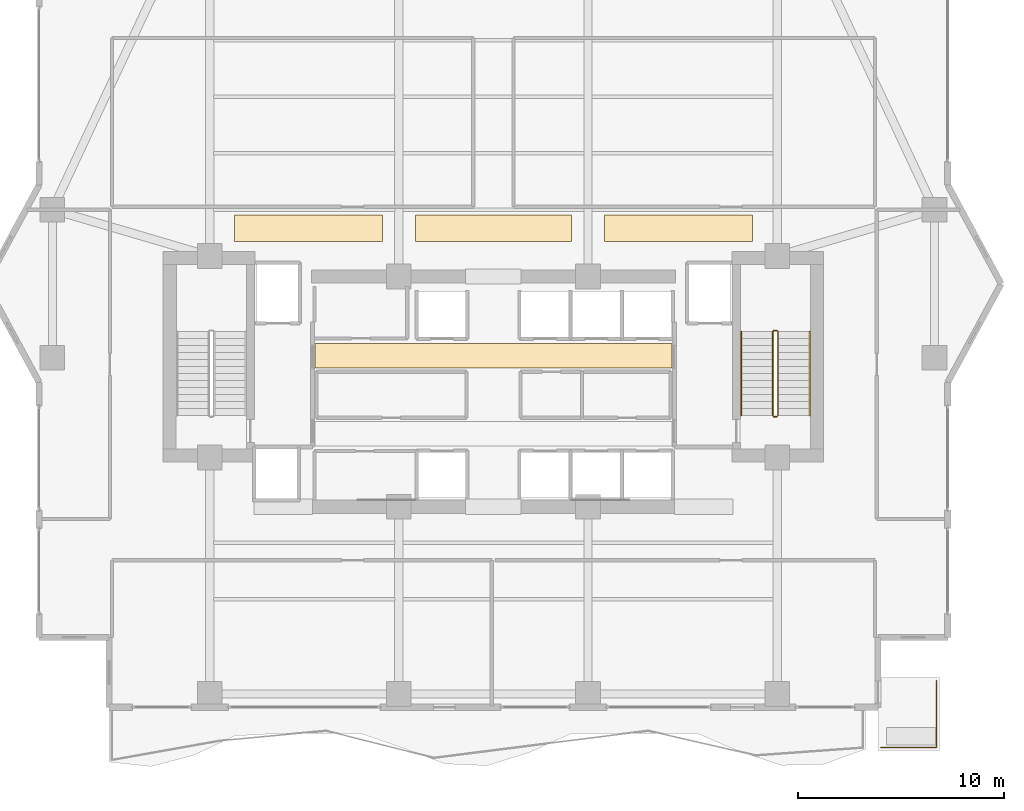
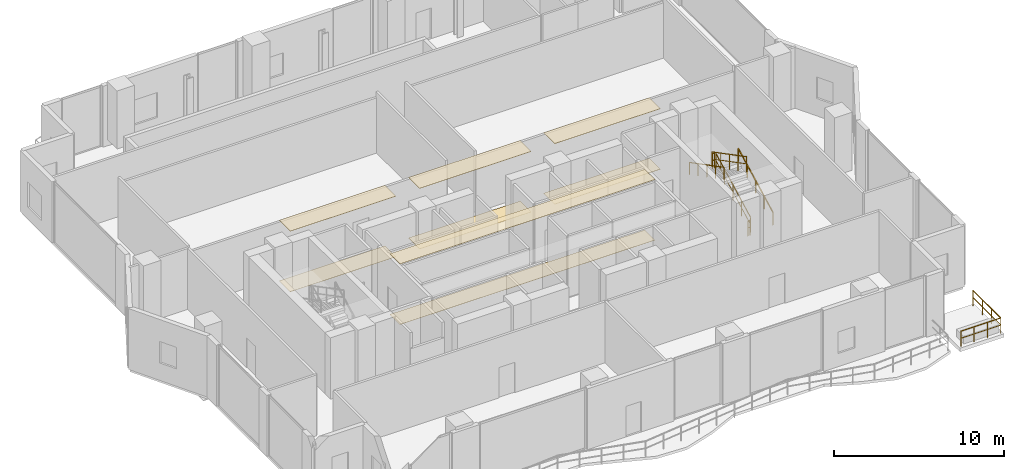
# One storey, part 31 of 33: 8 coverings, 7 railings.
"""IFC4 building model written with IfcOpenShell, lengths in metres."""

from ifc_helpers import new_model, si_unit, direction, frame, origin, origin_2d, place, context, subcontext, project, spatial, polyline, rectangle, outline, extrude, material, layer, layer_set, type_object, element, save


model = new_model("IFC4")

# Units and contexts
model_context = context("Model", 3, precision=1e-05, world=origin(), true_north=direction((0.0, 1.0)))
body_context = subcontext(model_context, "Body", "Model", "MODEL_VIEW")
ifc_project = project(units=[si_unit("LENGTHUNIT", "METRE"), si_unit("AREAUNIT", "SQUARE_METRE"), si_unit("VOLUMEUNIT", "CUBIC_METRE"), si_unit("PLANEANGLEUNIT", "RADIAN"), si_unit("MASSUNIT", "GRAM", prefix="KILO")], contexts=[model_context])

# Site, building, storey
site_placement = place(None, origin())
site = spatial("IfcSite", under=ifc_project, at=site_placement, CompositionType="ELEMENT")
building_placement = place(site_placement, origin())
building = spatial("IfcBuilding", under=site, at=building_placement, Name="Zuhayl Quay Hotel", CompositionType="ELEMENT")
storey_placement = place(building_placement, frame((0.0, 0.0, 168.199951171875)))
storey = spatial("IfcBuildingStorey", under=building, at=storey_placement, Name="L42", CompositionType="ELEMENT", Elevation=168.199951171875)

# Coverings
ifc_material_1 = material(Name="Acoustic Mineral-Fibre Gypsum Board")
ifc_layer_1 = layer(ifc_material_1, 0.02490234375, Name="Acoustic Mineral-Fibre Gypsum Board")
ifc_layer_set_1 = layer_set([ifc_layer_1], Name="Acoustic Mineral-Fibre Gypsum Board")
covering_type_1 = type_object("IfcCoveringType", Name="CV_CEIL_ACOUSTIC", PredefinedType="CEILING", material=ifc_layer_set_1)
covering_1_placement = place(storey_placement, frame((0.0, 0.0, 4.35498046875)))
element("IfcCovering", 1, at=covering_1_placement, inside=storey, type_object=covering_type_1, Name="L42 Suspended Acoustic Lobby Ceiling N", PredefinedType="CEILING", context=body_context, shape_type="SweptSolid", body=[
    extrude(outline(polyline([(-8.679931640625, 8.89990234375), (8.679931640625, 8.89990234375), (8.679931640625, 10.10009765625), (-8.679931640625, 10.10009765625), (-8.679931640625, 8.89990234375)])), origin(), (0.0, 0.0, 1.0), 0.025146484375),
])
covering_2_placement = place(storey_placement, frame((0.0, 0.0, 4.35498046875)))
element("IfcCovering", 2, at=covering_2_placement, inside=storey, type_object=covering_type_1, Name="L42 Guest Corridor Acoustic Ceiling CW", PredefinedType="CEILING", context=body_context, shape_type="SweptSolid", body=[
    extrude(outline(polyline([(-12.60009765625, 15.050048828125), (-5.39990234375, 15.050048828125), (-5.39990234375, 16.35009765625), (-12.60009765625, 16.35009765625), (-12.60009765625, 15.050048828125)])), origin(), (0.0, 0.0, 1.0), 0.025146484375),
])
covering_3_placement = place(storey_placement, frame((0.0, 0.0, 4.35498046875)))
element("IfcCovering", 3, at=covering_3_placement, inside=storey, type_object=covering_type_1, Name="L42 Guest Corridor Acoustic Ceiling CC", PredefinedType="CEILING", context=body_context, shape_type="SweptSolid", body=[
    extrude(outline(polyline([(-3.800048828125, 15.050048828125), (3.800048828125, 15.050048828125), (3.800048828125, 16.35009765625), (-3.800048828125, 16.35009765625), (-3.800048828125, 15.050048828125)])), origin(), (0.0, 0.0, 1.0), 0.025146484375),
])
covering_4_placement = place(storey_placement, frame((0.0, 0.0, 4.35498046875)))
element("IfcCovering", 4, at=covering_4_placement, inside=storey, type_object=covering_type_1, Name="L42 Guest Corridor Acoustic Ceiling CE", PredefinedType="CEILING", context=body_context, shape_type="SweptSolid", body=[
    extrude(outline(polyline([(5.39990234375, 15.050048828125), (12.60009765625, 15.050048828125), (12.60009765625, 16.35009765625), (5.39990234375, 16.35009765625), (5.39990234375, 15.050048828125)])), origin(), (0.0, 0.0, 1.0), 0.025146484375),
])
ifc_material_2 = material(Name="Polished Limestone Terrazzo", Category="masonry")
ifc_layer_2 = layer(ifc_material_2, 0.02001953125, Name="Polished Limestone Terrazzo", Category="masonry")
ifc_layer_set_2 = layer_set([ifc_layer_2], Name="Polished Limestone Terrazzo")
covering_type_2 = type_object("IfcCoveringType", Name="CV_FLOOR_TERRAZZO", PredefinedType="FLOORING", material=ifc_layer_set_2)
covering_5_placement = place(storey_placement, origin())
element("IfcCovering", 5, at=covering_5_placement, inside=storey, type_object=covering_type_2, Name="L42 Honed Limestone Terrazzo Lobby Flooring N", PredefinedType="FLOORING", context=body_context, shape_type="SweptSolid", body=[
    extrude(outline(polyline([(-8.679931640625, 8.89990234375), (8.679931640625, 8.89990234375), (8.679931640625, 10.10009765625), (-8.679931640625, 10.10009765625), (-8.679931640625, 8.89990234375)])), origin(), (0.0, 0.0, 1.0), 0.02001953125),
])
covering_6_placement = place(storey_placement, origin())
element("IfcCovering", 6, at=covering_6_placement, inside=storey, type_object=covering_type_2, Name="L42 Guest Corridor Terrazzo Runner CW", PredefinedType="FLOORING", context=body_context, shape_type="SweptSolid", body=[
    extrude(outline(polyline([(-12.60009765625, 15.050048828125), (-5.39990234375, 15.050048828125), (-5.39990234375, 16.35009765625), (-12.60009765625, 16.35009765625), (-12.60009765625, 15.050048828125)])), origin(), (0.0, 0.0, 1.0), 0.02001953125),
])
covering_7_placement = place(storey_placement, origin())
element("IfcCovering", 7, at=covering_7_placement, inside=storey, type_object=covering_type_2, Name="L42 Guest Corridor Terrazzo Runner CC", PredefinedType="FLOORING", context=body_context, shape_type="SweptSolid", body=[
    extrude(outline(polyline([(-3.800048828125, 15.050048828125), (3.800048828125, 15.050048828125), (3.800048828125, 16.35009765625), (-3.800048828125, 16.35009765625), (-3.800048828125, 15.050048828125)])), origin(), (0.0, 0.0, 1.0), 0.02001953125),
])
covering_8_placement = place(storey_placement, origin())
element("IfcCovering", 8, at=covering_8_placement, inside=storey, type_object=covering_type_2, Name="L42 Guest Corridor Terrazzo Runner CE", PredefinedType="FLOORING", context=body_context, shape_type="SweptSolid", body=[
    extrude(outline(polyline([(5.39990234375, 15.050048828125), (12.60009765625, 15.050048828125), (12.60009765625, 16.35009765625), (5.39990234375, 16.35009765625), (5.39990234375, 15.050048828125)])), origin(), (0.0, 0.0, 1.0), 0.02001953125),
])

# Railings
ifc_material_3 = material(Name="Anodised Aluminium and Laminated Glass", Category="aluminium")
railing_type_1 = type_object("IfcRailingType", Name="RL_EXT_BAL_1100", PredefinedType="BALUSTRADE", material=ifc_material_3)
railing_1_placement = place(storey_placement, frame((18.840087890625, -9.56005859375, 0.0)))
element("IfcRailing", 9, at=railing_1_placement, inside=storey, type_object=railing_type_1, Name="L42 Balcony and Terrace Guard GR_L42_SPIRAL_SE", PredefinedType="BALUSTRADE", context=body_context, shape_type="SweptSolid", body=[
    extrude(rectangle(XDim=0.048095703125, YDim=0.048095703125, at=origin_2d()), frame((0.0, 0.0, 1.09619140625), z_axis=(1.0, 0.0, 0.0), x_axis=(0.0, 1.0, 0.0)), (0.0, 0.0, 1.0), 2.719970703125),
    extrude(rectangle(XDim=0.0361328125, YDim=0.0361328125, at=origin_2d()), frame((0.0, 0.0, 0.58251953125), z_axis=(1.0, 0.0, 0.0), x_axis=(0.0, 1.0, 0.0)), (0.0, 0.0, 1.0), 2.719970703125),
    extrude(rectangle(XDim=0.048095703125, YDim=0.048095703125, at=origin_2d()), frame((2.719970703125, 0.0, 1.09619140625), z_axis=(0.0, 1.0, 0.0), x_axis=(-1.0, 0.0, 0.0)), (0.0, 0.0, 1.0), 3.27001953125),
    extrude(rectangle(XDim=0.0361328125, YDim=0.0361328125, at=origin_2d()), frame((2.719970703125, 0.0, 0.58251953125), z_axis=(0.0, 1.0, 0.0), x_axis=(-1.0, 0.0, 0.0)), (0.0, 0.0, 1.0), 3.27001953125),
    extrude(rectangle(XDim=0.0419921875, YDim=0.0419921875, at=origin_2d()), origin(), (0.0, 0.0, 1.0), 1.072021484375),
    extrude(rectangle(XDim=0.0419921875, YDim=0.0419921875, at=origin_2d()), frame((0.90673828125, 0.0, 0.0)), (0.0, 0.0, 1.0), 1.072021484375),
    extrude(rectangle(XDim=0.0419921875, YDim=0.0419921875, at=origin_2d()), frame((1.813232421875, 0.0, 0.0)), (0.0, 0.0, 1.0), 1.072021484375),
    extrude(rectangle(XDim=0.0419921875, YDim=0.0419921875, at=origin_2d()), frame((2.719970703125, 0.0, 0.0)), (0.0, 0.0, 1.0), 1.072021484375),
    extrude(rectangle(XDim=0.0419921875, YDim=0.0419921875, at=origin_2d()), frame((2.719970703125, 1.090087890625, 0.0)), (0.0, 0.0, 1.0), 1.072021484375),
    extrude(rectangle(XDim=0.0419921875, YDim=0.0419921875, at=origin_2d()), frame((2.719970703125, 2.179931640625, 0.0)), (0.0, 0.0, 1.0), 1.072021484375),
    extrude(rectangle(XDim=0.0419921875, YDim=0.0419921875, at=origin_2d()), frame((2.719970703125, 3.27001953125, 0.0)), (0.0, 0.0, 1.0), 1.072021484375),
])
ifc_material_4 = material(Name="Steel ASTM A992 Grade 50", Category="steel")
railing_type_2 = type_object("IfcRailingType", Name="RL_GUARD_1100", PredefinedType="GUARDRAIL", material=ifc_material_4)
railing_2_placement = place(storey_placement, frame((13.840087890625, 6.590087890625, 0.177001953125)))
element("IfcRailing", 10, at=railing_2_placement, inside=storey, type_object=railing_type_2, Name="L42 ST2 stair guard 1", PredefinedType="GUARDRAIL", context=body_context, shape_type="SweptSolid", body=[
    extrude(rectangle(XDim=0.048095703125, YDim=0.048095703125, at=origin_2d()), frame((0.0, 0.0, 1.09619140625), z_axis=(0.0, 0.887080309456, 0.461615126026), x_axis=(-1.0, 0.0, 0.0)), (0.0, 0.0, 1.0), 4.59912109375),
    extrude(rectangle(XDim=0.0361328125, YDim=0.0361328125, at=origin_2d()), frame((0.0, 0.0, 0.58251953125), z_axis=(0.0, 0.887080309456, 0.461615126026), x_axis=(-1.0, 0.0, 0.0)), (0.0, 0.0, 1.0), 4.59912109375),
    extrude(rectangle(XDim=0.0419921875, YDim=0.0419921875, at=origin_2d()), origin(), (0.0, 0.0, 1.0), 1.072021484375),
    extrude(rectangle(XDim=0.0419921875, YDim=0.0419921875, at=origin_2d()), frame((0.0, 1.02001953125, 0.53076171875)), (0.0, 0.0, 1.0), 1.072021484375),
    extrude(rectangle(XDim=0.0419921875, YDim=0.0419921875, at=origin_2d()), frame((0.0, 2.0400390625, 1.0615234375)), (0.0, 0.0, 1.0), 1.072021484375),
    extrude(rectangle(XDim=0.0419921875, YDim=0.0419921875, at=origin_2d()), frame((0.0, 3.059814453125, 1.59228515625)), (0.0, 0.0, 1.0), 1.072021484375),
    extrude(rectangle(XDim=0.0419921875, YDim=0.0419921875, at=origin_2d()), frame((0.0, 4.079833984375, 2.123046875)), (0.0, 0.0, 1.0), 1.072021484375),
])
railing_3_placement = place(storey_placement, frame((13.7900390625, 10.719970703125, 2.300048828125)))
element("IfcRailing", 11, at=railing_3_placement, inside=storey, type_object=railing_type_2, Name="L42 ST2 stair guard 2", PredefinedType="GUARDRAIL", context=body_context, shape_type="SweptSolid", body=[
    extrude(rectangle(XDim=0.048095703125, YDim=0.048095703125, at=origin_2d()), frame((0.0, 0.0, 1.09619140625), z_axis=(-1.0, 0.0, 0.0), x_axis=(0.0, -1.0, 0.0)), (0.0, 0.0, 1.0), 0.150146484375),
    extrude(rectangle(XDim=0.0361328125, YDim=0.0361328125, at=origin_2d()), frame((0.0, 0.0, 0.58251953125), z_axis=(-1.0, 0.0, 0.0), x_axis=(0.0, -1.0, 0.0)), (0.0, 0.0, 1.0), 0.150146484375),
    extrude(rectangle(XDim=0.0419921875, YDim=0.0419921875, at=origin_2d()), origin(), (0.0, 0.0, 1.0), 1.072021484375),
    extrude(rectangle(XDim=0.0419921875, YDim=0.0419921875, at=origin_2d()), frame((-0.150146484375, 0.0, 0.0)), (0.0, 0.0, 1.0), 1.072021484375),
])
railing_4_placement = place(storey_placement, frame((13.590087890625, 10.669921875, 2.47705078125)))
element("IfcRailing", 12, at=railing_4_placement, inside=storey, type_object=railing_type_2, Name="L42 ST2 stair guard 3", PredefinedType="GUARDRAIL", context=body_context, shape_type="SweptSolid", body=[
    extrude(rectangle(XDim=0.048095703125, YDim=0.048095703125, at=origin_2d()), frame((0.0, 0.0, 1.09619140625), z_axis=(0.0, -0.887080309456, 0.461615126026), x_axis=(1.0, 0.0, 0.0)), (0.0, 0.0, 1.0), 4.59912109375),
    extrude(rectangle(XDim=0.0361328125, YDim=0.0361328125, at=origin_2d()), frame((0.0, 0.0, 0.58251953125), z_axis=(0.0, -0.887080309456, 0.461615126026), x_axis=(1.0, 0.0, 0.0)), (0.0, 0.0, 1.0), 4.59912109375),
    extrude(rectangle(XDim=0.0419921875, YDim=0.0419921875, at=origin_2d()), origin(), (0.0, 0.0, 1.0), 1.072021484375),
    extrude(rectangle(XDim=0.0419921875, YDim=0.0419921875, at=origin_2d()), frame((0.0, -1.02001953125, 0.53076171875)), (0.0, 0.0, 1.0), 1.072021484375),
    extrude(rectangle(XDim=0.0419921875, YDim=0.0419921875, at=origin_2d()), frame((0.0, -2.0400390625, 1.0615234375)), (0.0, 0.0, 1.0), 1.072021484375),
    extrude(rectangle(XDim=0.0419921875, YDim=0.0419921875, at=origin_2d()), frame((0.0, -3.059814453125, 1.59228515625)), (0.0, 0.0, 1.0), 1.072021484375),
    extrude(rectangle(XDim=0.0419921875, YDim=0.0419921875, at=origin_2d()), frame((0.0, -4.079833984375, 2.123046875)), (0.0, 0.0, 1.0), 1.072021484375),
])
railing_5_placement = place(storey_placement, frame((13.7900390625, 6.5400390625, 0.0)))
element("IfcRailing", 13, at=railing_5_placement, inside=storey, type_object=railing_type_2, Name="L42 ST2 stair guard 4", PredefinedType="GUARDRAIL", context=body_context, shape_type="SweptSolid", body=[
    extrude(rectangle(XDim=0.048095703125, YDim=0.048095703125, at=origin_2d()), frame((0.0, 0.0, 1.09619140625), z_axis=(-1.0, 0.0, 0.0), x_axis=(0.0, -1.0, 0.0)), (0.0, 0.0, 1.0), 0.150146484375),
    extrude(rectangle(XDim=0.0361328125, YDim=0.0361328125, at=origin_2d()), frame((0.0, 0.0, 0.58251953125), z_axis=(-1.0, 0.0, 0.0), x_axis=(0.0, -1.0, 0.0)), (0.0, 0.0, 1.0), 0.150146484375),
    extrude(rectangle(XDim=0.0419921875, YDim=0.0419921875, at=origin_2d()), origin(), (0.0, 0.0, 1.0), 1.072021484375),
    extrude(rectangle(XDim=0.0419921875, YDim=0.0419921875, at=origin_2d()), frame((-0.150146484375, 0.0, 0.0)), (0.0, 0.0, 1.0), 1.072021484375),
])
railing_type_3 = type_object("IfcRailingType", Name="RL_HANDRAIL_920", PredefinedType="HANDRAIL", material=ifc_material_4)
railing_6_placement = place(storey_placement, frame((15.3798828125, 6.590087890625, 0.177001953125)))
element("IfcRailing", 14, at=railing_6_placement, inside=storey, type_object=railing_type_3, Name="L42 ST2 stair handrail 1", PredefinedType="HANDRAIL", context=body_context, shape_type="SweptSolid", body=[
    extrude(rectangle(XDim=0.048095703125, YDim=0.048095703125, at=origin_2d()), frame((0.0, 0.0, 0.8759765625), z_axis=(0.0, 0.887080309456, 0.461615126026), x_axis=(-1.0, 0.0, 0.0)), (0.0, 0.0, 1.0), 4.59912109375),
    extrude(rectangle(XDim=0.0419921875, YDim=0.0419921875, at=origin_2d()), origin(), (0.0, 0.0, 1.0), 0.851806640625),
    extrude(rectangle(XDim=0.0419921875, YDim=0.0419921875, at=origin_2d()), frame((0.0, 1.02001953125, 0.53076171875)), (0.0, 0.0, 1.0), 0.851806640625),
    extrude(rectangle(XDim=0.0419921875, YDim=0.0419921875, at=origin_2d()), frame((0.0, 2.0400390625, 1.0615234375)), (0.0, 0.0, 1.0), 0.851806640625),
    extrude(rectangle(XDim=0.0419921875, YDim=0.0419921875, at=origin_2d()), frame((0.0, 3.059814453125, 1.59228515625)), (0.0, 0.0, 1.0), 0.851806640625),
    extrude(rectangle(XDim=0.0419921875, YDim=0.0419921875, at=origin_2d()), frame((0.0, 4.079833984375, 2.123046875)), (0.0, 0.0, 1.0), 0.851806640625),
])
railing_7_placement = place(storey_placement, frame((12.050048828125, 10.669921875, 2.47705078125)))
element("IfcRailing", 15, at=railing_7_placement, inside=storey, type_object=railing_type_3, Name="L42 ST2 stair handrail 2", PredefinedType="HANDRAIL", context=body_context, shape_type="SweptSolid", body=[
    extrude(rectangle(XDim=0.048095703125, YDim=0.048095703125, at=origin_2d()), frame((0.0, 0.0, 0.8759765625), z_axis=(0.0, -0.887080309456, 0.461615126026), x_axis=(1.0, 0.0, 0.0)), (0.0, 0.0, 1.0), 4.59912109375),
    extrude(rectangle(XDim=0.0419921875, YDim=0.0419921875, at=origin_2d()), origin(), (0.0, 0.0, 1.0), 0.851806640625),
    extrude(rectangle(XDim=0.0419921875, YDim=0.0419921875, at=origin_2d()), frame((0.0, -1.02001953125, 0.53076171875)), (0.0, 0.0, 1.0), 0.851806640625),
    extrude(rectangle(XDim=0.0419921875, YDim=0.0419921875, at=origin_2d()), frame((0.0, -2.0400390625, 1.0615234375)), (0.0, 0.0, 1.0), 0.851806640625),
    extrude(rectangle(XDim=0.0419921875, YDim=0.0419921875, at=origin_2d()), frame((0.0, -3.059814453125, 1.59228515625)), (0.0, 0.0, 1.0), 0.851806640625),
    extrude(rectangle(XDim=0.0419921875, YDim=0.0419921875, at=origin_2d()), frame((0.0, -4.079833984375, 2.123046875)), (0.0, 0.0, 1.0), 0.851806640625),
])

save(model, "model.ifc")
